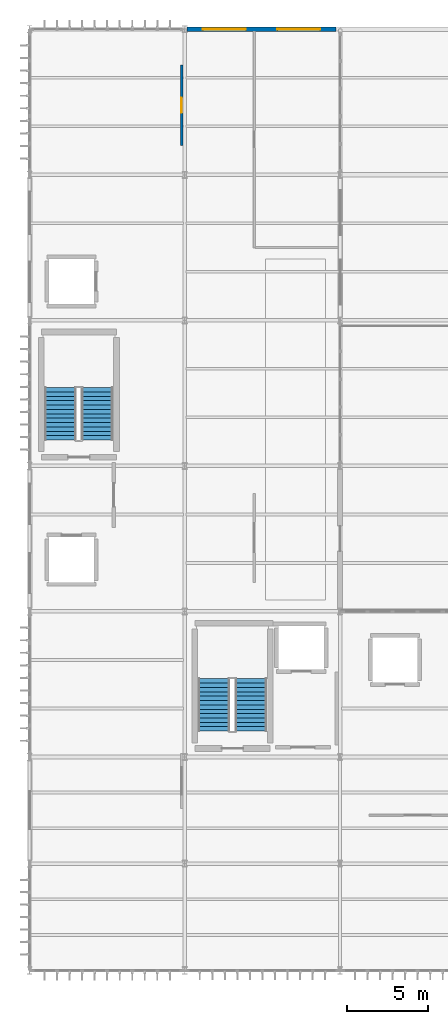
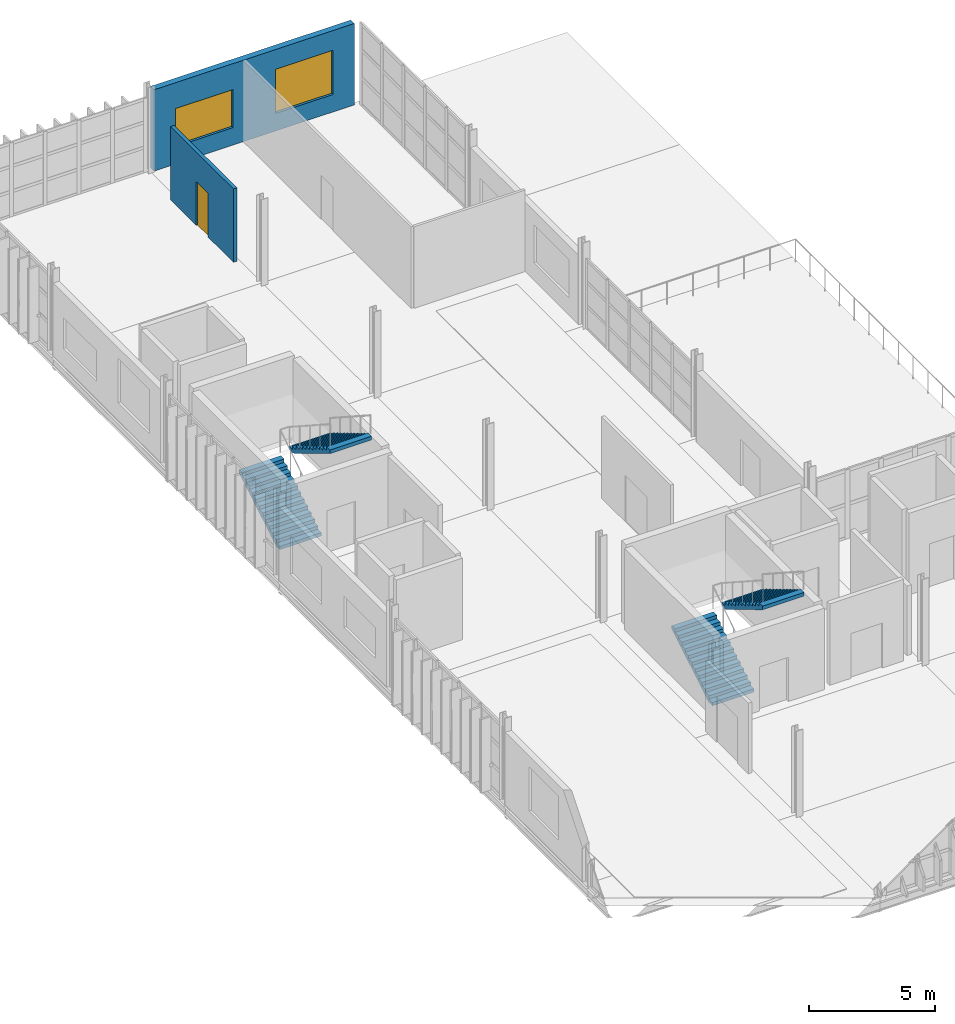
# One storey, part 20 of 38: 4 stair flights, 2 walls, 2 windows, 1 door, 3 openings, 2 elements without a shape of their own.
"""IFC4 building model written with IfcOpenShell, lengths in metres."""

from ifc_helpers import new_model, si_unit, direction, frame, frame_2d, origin, place, context, subcontext, project, spatial, polyline, rectangle, outline, extrude, material, layer, layer_set, type_object, element, fill, aggregate, save


model = new_model("IFC4")

# Units and contexts
model_context = context("Model", 3, precision=1e-05, world=origin(), true_north=direction((0.0, 1.0)))
body_context = subcontext(model_context, "Body", "Model", "MODEL_VIEW")
ifc_project = project(units=[si_unit("LENGTHUNIT", "METRE"), si_unit("AREAUNIT", "SQUARE_METRE"), si_unit("VOLUMEUNIT", "CUBIC_METRE"), si_unit("PLANEANGLEUNIT", "RADIAN"), si_unit("MASSUNIT", "GRAM", prefix="KILO")], contexts=[model_context])

# Site, building, storey
site_placement = place(None, origin())
site = spatial("IfcSite", under=ifc_project, at=site_placement, CompositionType="ELEMENT")
building_placement = place(site_placement, origin())
building = spatial("IfcBuilding", under=site, at=building_placement, Name="Zarnetskaya Central Station", CompositionType="ELEMENT")
storey_placement = place(building_placement, frame((0.0, 0.0, 18.60009765625)))
storey = spatial("IfcBuildingStorey", under=building, at=storey_placement, Name="L04", CompositionType="ELEMENT", Elevation=18.60009765625)

# Wall, opening, door
ifc_material_1 = material(Name="Gypsum acoustic partition")
ifc_layer_1 = layer(ifc_material_1, 0.159912109375, Name="Gypsum acoustic partition")
ifc_layer_set_1 = layer_set([ifc_layer_1], Name="Gypsum acoustic partition")
wall_type_1 = type_object("IfcWallType", Name="PART-ACOU-160", PredefinedType="PARTITIONING", material=ifc_layer_set_1)
wall_1_placement = place(storey_placement, frame((9.39990234375, 56.0, 0.0), z_axis=(0.0, 0.0, 1.0), x_axis=(0.0, -1.0, 0.0)))
wall_1 = element("IfcWall", 1, at=wall_1_placement, inside=storey, type_object=wall_type_1, Name="Interior partition IPRT-L04-0438", PredefinedType="PARTITIONING", context=body_context, shape_type="SweptSolid", body=[
    extrude(rectangle(XDim=5.0, YDim=0.159912109375, at=frame_2d((2.5, 0.0))), origin(), (0.0, 0.0, 1.0), 3.56982421875),
])
opening_1_placement = place(wall_1_placement, frame((2.030029296875, 0.0, 0.0)))
opening_1 = element("IfcOpeningElement", 2, at=opening_1_placement, cuts=wall_1, Name="Opening DR-04", PredefinedType="OPENING", context=body_context, shape_type="SweptSolid", body=[
    extrude(rectangle(XDim=0.93994140625, YDim=2.1201171875, at=frame_2d((0.469970703125, 1.06005859375))), frame((0.0, 0.08984375, 0.0), z_axis=(0.0, -1.0, 0.0), x_axis=(1.0, 0.0, 0.0)), (0.0, 0.0, 1.0), 0.179931640625),
])
ifc_material_2 = material(Name="Anodised aluminium", Category="aluminium")
door_type = type_object("IfcDoorType", Name="DR-INT-19", OperationType="NOTDEFINED", PredefinedType="DOOR", material=ifc_material_2)
door_placement = place(opening_1_placement, origin())
door = element("IfcDoor", 3, at=door_placement, inside=storey, type_object=door_type, Name="Operations Conference Room door", OperationType="SINGLE_SWING_LEFT", OverallHeight=2.1201171875, OverallWidth=0.93994140625, PredefinedType="DOOR", context=body_context, shape_type="SweptSolid", body=[
    extrude(rectangle(XDim=0.93994140625, YDim=2.1201171875, at=frame_2d((0.469970703125, 1.06005859375))), frame((0.0, 0.02490234375, 0.0), z_axis=(0.0, -1.0, 0.0), x_axis=(1.0, 0.0, 0.0)), (0.0, 0.0, 1.0), 0.050048828125),
])
fill(opening_1, door)

# Wall, openings, windows
ifc_material_3 = material(Name="Precast concrete C40/50", Category="concrete")
ifc_layer_2 = layer(ifc_material_3, 0.280029296875, Name="Precast concrete C40/50", Category="concrete")
ifc_layer_set_2 = layer_set([ifc_layer_2], Name="Precast concrete C40/50")
wall_type_2 = type_object("IfcWallType", Name="WALL-EXT-280", PredefinedType="SOLIDWALL", material=ifc_layer_set_2)
wall_2_placement = place(storey_placement, frame((9.75, 58.199951171875, 0.0), z_axis=(0.0, 0.0, 1.0), x_axis=(1.0, 0.0, 0.0)))
wall_2 = element("IfcWall", 4, at=wall_2_placement, inside=storey, type_object=wall_type_2, Name="Exterior precast wall EW-L04-98-582-190-582", PredefinedType="SOLIDWALL", context=body_context, shape_type="SweptSolid", body=[
    extrude(rectangle(XDim=9.199951171875, YDim=0.280029296875, at=frame_2d((4.60009765625, 0.0))), origin(), (0.0, 0.0, 1.0), 3.9599609375),
])
opening_2_placement = place(wall_2_placement, frame((0.97509765625, 0.0, 0.85009765625)))
opening_2 = element("IfcOpeningElement", 5, at=opening_2_placement, cuts=wall_2, Name="Opening WN-45", PredefinedType="OPENING", context=body_context, shape_type="SweptSolid", body=[
    extrude(rectangle(XDim=2.64990234375, YDim=1.85009765625, at=frame_2d((1.324951171875, 0.925048828125))), frame((0.0, 0.14990234375, 0.0), z_axis=(0.0, -1.0, 0.0), x_axis=(1.0, 0.0, 0.0)), (0.0, 0.0, 1.0), 0.300048828125),
])
opening_3_placement = place(wall_2_placement, frame((5.574951171875, 0.0, 0.85009765625)))
opening_3 = element("IfcOpeningElement", 6, at=opening_3_placement, cuts=wall_2, Name="Opening WN-32", PredefinedType="OPENING", context=body_context, shape_type="SweptSolid", body=[
    extrude(rectangle(XDim=2.64990234375, YDim=2.14990234375, at=frame_2d((1.324951171875, 1.074951171875))), frame((0.0, 0.14990234375, 0.0), z_axis=(0.0, -1.0, 0.0), x_axis=(1.0, 0.0, 0.0)), (0.0, 0.0, 1.0), 0.300048828125),
])
ifc_material_4 = material(Name="Low-E insulated glass", Category="glass")
window_type_1 = type_object("IfcWindowType", Name="WIN-41", PartitioningType="DOUBLE_PANEL_VERTICAL", PredefinedType="WINDOW", material=ifc_material_4)
window_1_placement = place(opening_2_placement, origin())
window_1 = element("IfcWindow", 7, at=window_1_placement, inside=storey, type_object=window_type_1, Name="Facade window L04-0095", OverallHeight=1.85009765625, OverallWidth=2.64990234375, PartitioningType="SINGLE_PANEL", PredefinedType="WINDOW", context=body_context, shape_type="SweptSolid", body=[
    extrude(rectangle(XDim=2.64990234375, YDim=1.85009765625, at=frame_2d((1.324951171875, 0.925048828125))), frame((0.0, 0.030029296875, 0.0), z_axis=(0.0, -1.0, 0.0), x_axis=(1.0, 0.0, 0.0)), (0.0, 0.0, 1.0), 0.06005859375),
])
fill(opening_2, window_1)
window_type_2 = type_object("IfcWindowType", Name="WIN-42", PartitioningType="DOUBLE_PANEL_VERTICAL", PredefinedType="WINDOW", material=ifc_material_4)
window_2_placement = place(opening_3_placement, origin())
window_2 = element("IfcWindow", 8, at=window_2_placement, inside=storey, type_object=window_type_2, Name="Facade window L04-0096", OverallHeight=2.14990234375, OverallWidth=2.64990234375, PartitioningType="SINGLE_PANEL", PredefinedType="WINDOW", context=body_context, shape_type="SweptSolid", body=[
    extrude(rectangle(XDim=2.64990234375, YDim=2.14990234375, at=frame_2d((1.324951171875, 1.074951171875))), frame((0.0, 0.030029296875, 0.0), z_axis=(0.0, -1.0, 0.0), x_axis=(1.0, 0.0, 0.0)), (0.0, 0.0, 1.0), 0.06005859375),
])
fill(opening_3, window_2)

# Stair, stair flights
ifc_material_5 = material(Name="Concrete C30/37", Category="concrete")
stair_type_1 = type_object("IfcStairType", Name="STAIR-ASSY-01", PredefinedType="HALF_TURN_STAIR", material=ifc_material_5)
stair_1_placement = place(storey_placement, origin())
stair_1 = element("IfcStair", 9, at=stair_1_placement, inside=storey, type_object=stair_type_1, Name="Exit Stair ST-C1 L04", PredefinedType="HALF_TURN_STAIR")
stair_flight_type_1 = type_object("IfcStairFlightType", Name="FLT-TYPE-01", PredefinedType="STRAIGHT", material=ifc_material_5)
stair_flight_1_placement = place(storey_placement, frame((11.39990234375, 14.800048828125, 0.0), z_axis=(0.0, 0.0, 1.0), x_axis=(0.0, 1.0, 0.0)))
stair_flight_1 = element("IfcStairFlight", 10, at=stair_flight_1_placement, type_object=stair_flight_type_1, Name="ST-03 flight 1", NumberOfRisers=13, NumberOfTreads=12, PredefinedType="STRAIGHT", RiserHeight=0.161538462, TreadLength=0.27, context=body_context, shape_type="SweptSolid", body=[
    extrude(outline(polyline([(0.0, 0.0), (0.0, 0.16162109375), (0.27001953125, 0.16162109375), (0.27001953125, 0.322998046875), (0.5400390625, 0.322998046875), (0.5400390625, 0.484619140625), (0.81005859375, 0.484619140625), (0.81005859375, 0.646240234375), (1.080078125, 0.646240234375), (1.080078125, 0.8076171875), (1.35009765625, 0.8076171875), (1.35009765625, 0.96923828125), (1.6201171875, 0.96923828125), (1.6201171875, 1.130859375), (1.889892578125, 1.130859375), (1.889892578125, 1.292236328125), (2.159912109375, 1.292236328125), (2.159912109375, 1.453857421875), (2.429931640625, 1.453857421875), (2.429931640625, 1.615478515625), (2.699951171875, 1.615478515625), (2.699951171875, 1.77685546875), (2.969970703125, 1.77685546875), (2.969970703125, 1.9384765625), (3.239990234375, 1.9384765625), (3.239990234375, 2.10009765625), (3.239990234375, 1.763671875), (0.2919921875, 0.0), (0.0, 0.0)])), frame((0.0, 0.9599609375, 0.0), z_axis=(0.0, -1.0, 0.0), x_axis=(1.0, 0.0, 0.0)), (0.0, 0.0, 1.0), 1.919921875),
])
stair_flight_2_placement = place(storey_placement, frame((13.699951171875, 18.0400390625, 2.099853515625), z_axis=(0.0, 0.0, 1.0), x_axis=(0.0, -1.0, 0.0)))
stair_flight_2 = element("IfcStairFlight", 11, at=stair_flight_2_placement, type_object=stair_flight_type_1, Name="ST-03 flight 2", NumberOfRisers=13, NumberOfTreads=12, PredefinedType="STRAIGHT", RiserHeight=0.161538462, TreadLength=0.27, context=body_context, shape_type="SweptSolid", body=[
    extrude(outline(polyline([(0.0, 0.0), (0.0, 0.16162109375), (0.27001953125, 0.16162109375), (0.27001953125, 0.322998046875), (0.5400390625, 0.322998046875), (0.5400390625, 0.484619140625), (0.81005859375, 0.484619140625), (0.81005859375, 0.646240234375), (1.080078125, 0.646240234375), (1.080078125, 0.8076171875), (1.35009765625, 0.8076171875), (1.35009765625, 0.96923828125), (1.6201171875, 0.96923828125), (1.6201171875, 1.130859375), (1.889892578125, 1.130859375), (1.889892578125, 1.292236328125), (2.159912109375, 1.292236328125), (2.159912109375, 1.453857421875), (2.429931640625, 1.453857421875), (2.429931640625, 1.615478515625), (2.699951171875, 1.615478515625), (2.699951171875, 1.77685546875), (2.969970703125, 1.77685546875), (2.969970703125, 1.9384765625), (3.239990234375, 1.9384765625), (3.239990234375, 2.10009765625), (3.239990234375, 1.763671875), (0.2919921875, 0.0), (0.0, 0.0)])), frame((0.0, 0.9599609375, 0.0), z_axis=(0.0, -1.0, 0.0), x_axis=(1.0, 0.0, 0.0)), (0.0, 0.0, 1.0), 1.919921875),
])
aggregate(stair_1, [stair_flight_1, stair_flight_2])

stair_type_2 = type_object("IfcStairType", Name="STAIR-ASSY-02", PredefinedType="HALF_TURN_STAIR", material=ifc_material_5)
stair_2_placement = place(storey_placement, origin())
stair_2 = element("IfcStair", 12, at=stair_2_placement, inside=storey, type_object=stair_type_2, Name="Exit Stair ST-C2 L04", PredefinedType="HALF_TURN_STAIR")
stair_flight_type_2 = type_object("IfcStairFlightType", Name="FLT-TYPE-02", PredefinedType="STRAIGHT", material=ifc_material_5)
stair_flight_3_placement = place(storey_placement, frame((1.89990234375, 32.800048828125, 0.0), z_axis=(0.0, 0.0, 1.0), x_axis=(0.0, 1.0, 0.0)))
stair_flight_3 = element("IfcStairFlight", 13, at=stair_flight_3_placement, type_object=stair_flight_type_2, Name="ST-07 flight 1", NumberOfRisers=13, NumberOfTreads=12, PredefinedType="STRAIGHT", RiserHeight=0.161538462, TreadLength=0.27, context=body_context, shape_type="SweptSolid", body=[
    extrude(outline(polyline([(0.0, 0.0), (0.0, 0.16162109375), (0.27001953125, 0.16162109375), (0.27001953125, 0.322998046875), (0.5400390625, 0.322998046875), (0.5400390625, 0.484619140625), (0.81005859375, 0.484619140625), (0.81005859375, 0.646240234375), (1.080078125, 0.646240234375), (1.080078125, 0.8076171875), (1.35009765625, 0.8076171875), (1.35009765625, 0.96923828125), (1.6201171875, 0.96923828125), (1.6201171875, 1.130859375), (1.889892578125, 1.130859375), (1.889892578125, 1.292236328125), (2.159912109375, 1.292236328125), (2.159912109375, 1.453857421875), (2.429931640625, 1.453857421875), (2.429931640625, 1.615478515625), (2.699951171875, 1.615478515625), (2.699951171875, 1.77685546875), (2.969970703125, 1.77685546875), (2.969970703125, 1.9384765625), (3.239990234375, 1.9384765625), (3.239990234375, 2.10009765625), (3.239990234375, 1.763671875), (0.2919921875, 0.0), (0.0, 0.0)])), frame((0.0, 0.9599609375, 0.0), z_axis=(0.0, -1.0, 0.0), x_axis=(1.0, 0.0, 0.0)), (0.0, 0.0, 1.0), 1.919921875),
])
stair_flight_4_placement = place(storey_placement, frame((4.199951171875, 36.0400390625, 2.099853515625), z_axis=(0.0, 0.0, 1.0), x_axis=(0.0, -1.0, 0.0)))
stair_flight_4 = element("IfcStairFlight", 14, at=stair_flight_4_placement, type_object=stair_flight_type_2, Name="ST-07 flight 2", NumberOfRisers=13, NumberOfTreads=12, PredefinedType="STRAIGHT", RiserHeight=0.161538462, TreadLength=0.27, context=body_context, shape_type="SweptSolid", body=[
    extrude(outline(polyline([(0.0, 0.0), (0.0, 0.16162109375), (0.27001953125, 0.16162109375), (0.27001953125, 0.322998046875), (0.5400390625, 0.322998046875), (0.5400390625, 0.484619140625), (0.81005859375, 0.484619140625), (0.81005859375, 0.646240234375), (1.080078125, 0.646240234375), (1.080078125, 0.8076171875), (1.35009765625, 0.8076171875), (1.35009765625, 0.96923828125), (1.6201171875, 0.96923828125), (1.6201171875, 1.130859375), (1.889892578125, 1.130859375), (1.889892578125, 1.292236328125), (2.159912109375, 1.292236328125), (2.159912109375, 1.453857421875), (2.429931640625, 1.453857421875), (2.429931640625, 1.615478515625), (2.699951171875, 1.615478515625), (2.699951171875, 1.77685546875), (2.969970703125, 1.77685546875), (2.969970703125, 1.9384765625), (3.239990234375, 1.9384765625), (3.239990234375, 2.10009765625), (3.239990234375, 1.763671875), (0.2919921875, 0.0), (0.0, 0.0)])), frame((0.0, 0.9599609375, 0.0), z_axis=(0.0, -1.0, 0.0), x_axis=(1.0, 0.0, 0.0)), (0.0, 0.0, 1.0), 1.919921875),
])
aggregate(stair_2, [stair_flight_3, stair_flight_4])

save(model, "model.ifc")
